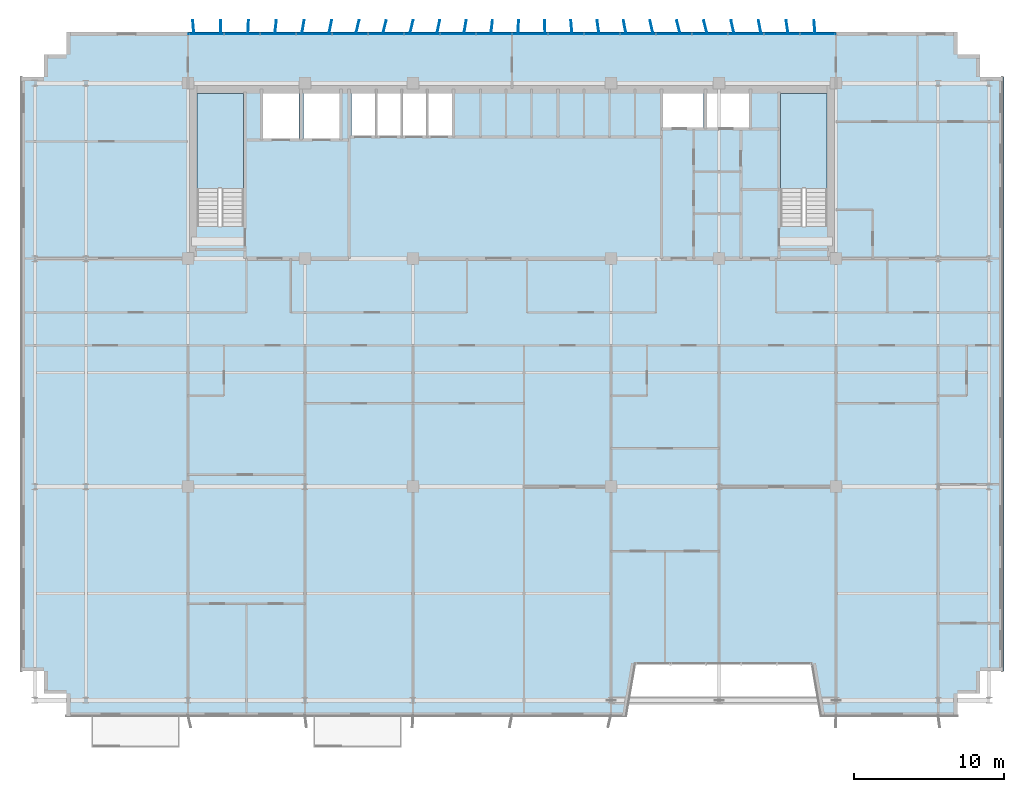
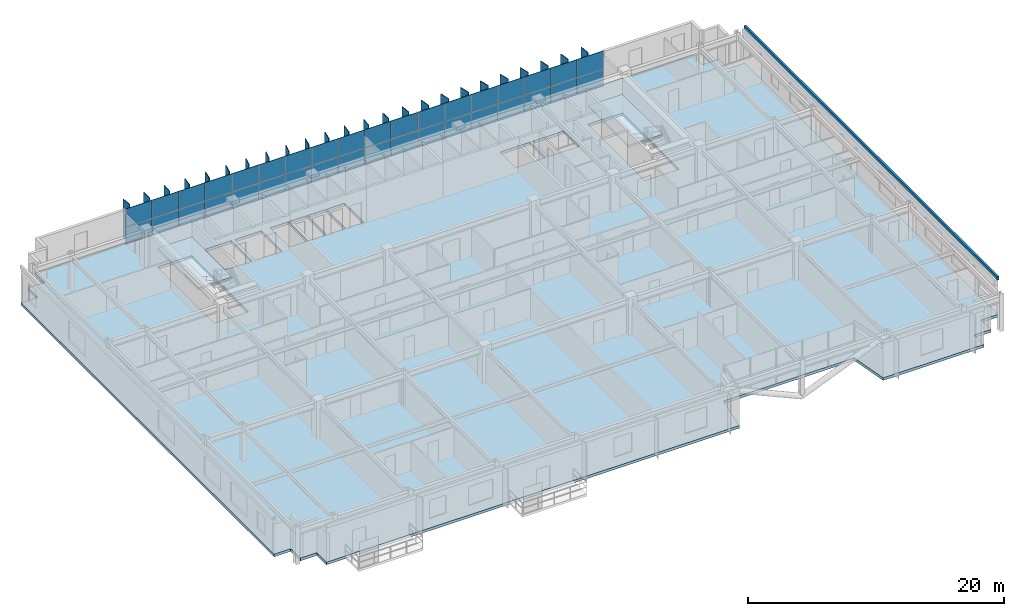
# One storey, part 17 of 26: 61 plates, 3 slabs, 3 elements without a shape of their own.
"""IFC4 building model written with IfcOpenShell, lengths in metres."""

import ifcopenshell
import ifcopenshell.guid

model = None  # the IFC model being written
_history = None  # IfcOwnerHistory: only IFC2X3 demands one
_inside = {}  # id of a spatial element -> (the spatial element, [elements in it])
_under = {}  # id of a project, library or spatial element -> (it, [spatial elements below it])
_declared = {}  # id of a project -> (the project, [libraries it declares])
_typed = {}  # id of a type object -> (the type object, [elements of that type])
_made_of = {}  # id of a material, layer set ... -> (it, [elements and type objects made of it])


def new_model(schema):
    """Start an empty IFC model of exactly this schema.

    Asked for "IFC4X3", IfcOpenShell would pick the latest addendum, in which some entities
    have other attributes; the version numbers below select the first issue.
    IFC2X3 requires an IfcOwnerHistory on every rooted entity: one is made here for all.
    """
    global model, _history
    if schema == "IFC4X3":
        model = ifcopenshell.file(schema_version=(4, 3, 0, 0))
    else:
        model = ifcopenshell.file(schema=schema)
    _inside.clear()
    _under.clear()
    _declared.clear()
    _typed.clear()
    _made_of.clear()
    _history = None
    if model.schema == "IFC2X3":
        org = make("IfcOrganization", Name="unknown")
        user = make(
            "IfcPersonAndOrganization",
            ThePerson=make("IfcPerson", FamilyName="unknown"),
            TheOrganization=org,
        )
        app = make(
            "IfcApplication",
            ApplicationDeveloper=org,
            Version="unknown",
            ApplicationFullName="unknown",
            ApplicationIdentifier="unknown",
        )
        _history = make(
            "IfcOwnerHistory",
            OwningUser=user,
            OwningApplication=app,
            ChangeAction="ADDED",
            CreationDate=0,
        )
    return model


def make(cls, **values):
    """One entity of the class cls with the attributes given. An attribute that is None is left unset."""
    return model.create_entity(
        cls, **{name: value for name, value in values.items() if value is not None}
    )


def rooted(cls, **values):
    """An entity with a GlobalId (a new one), such as an element, a storey or a relation."""
    return make(cls, GlobalId=ifcopenshell.guid.new(), OwnerHistory=_history, **values)


def si_unit(unit_type, name, prefix=None):
    """IfcSIUnit, for example si_unit("LENGTHUNIT", "METRE", prefix="MILLI")."""
    return make("IfcSIUnit", UnitType=unit_type, Prefix=prefix, Name=name)


def assignment(units):
    """IfcUnitAssignment: the units of a project."""
    return None if units is None else make("IfcUnitAssignment", Units=units)


def point(xyz):
    """IfcCartesianPoint."""
    return None if xyz is None else make("IfcCartesianPoint", Coordinates=xyz)


def direction(xyz):
    """IfcDirection."""
    return None if xyz is None else make("IfcDirection", DirectionRatios=xyz)


def frame(location, z_axis=None, x_axis=None):
    """IfcAxis2Placement3D, a coordinate frame: its origin and axes. An axis left out is left unset."""
    return make(
        "IfcAxis2Placement3D",
        Location=point(location),
        Axis=direction(z_axis),
        RefDirection=direction(x_axis),
    )


def frame_2d(location, x_axis=None):
    """IfcAxis2Placement2D, a coordinate frame in the plane: its origin and x axis."""
    return make(
        "IfcAxis2Placement2D", Location=point(location), RefDirection=direction(x_axis)
    )


def origin():
    """The frame at (0, 0, 0) with its axes left unset."""
    return frame((0.0, 0.0, 0.0))


def origin_2d():
    """The frame at (0, 0) in the plane with its x axis left unset."""
    return frame_2d((0.0, 0.0))


def place(relative_to, where):
    """IfcLocalPlacement: puts the frame where relative to a parent placement (None: the world)."""
    return make(
        "IfcLocalPlacement", PlacementRelTo=relative_to, RelativePlacement=where
    )


def context(
    kind, dimensions, precision=None, world=None, true_north=None, identifier=None
):
    """IfcGeometricRepresentationContext, for example the 3D "Model" context."""
    return make(
        "IfcGeometricRepresentationContext",
        ContextIdentifier=identifier,
        ContextType=kind,
        CoordinateSpaceDimension=dimensions,
        Precision=precision,
        WorldCoordinateSystem=world,
        TrueNorth=true_north,
    )


def subcontext(parent, identifier, kind, view, scale=None):
    """IfcGeometricRepresentationSubContext, for example "Body" below "Model"."""
    return make(
        "IfcGeometricRepresentationSubContext",
        ContextIdentifier=identifier,
        ContextType=kind,
        ParentContext=parent,
        TargetScale=scale,
        TargetView=view,
    )


def project(units=None, contexts=None):
    """IfcProject with its units and contexts."""
    return rooted(
        "IfcProject",
        Name="project",
        RepresentationContexts=contexts,
        UnitsInContext=assignment(units),
    )


def spatial(cls, under=None, at=None, **own):
    """A site, building, storey or space (cls), placed at a placement, below another one or the project."""
    s = rooted(cls, ObjectPlacement=at, **own)
    if under is not None:
        _under.setdefault(under.id(), (under, []))[1].append(s)
    return s


def polyline(points):
    """IfcPolyline through the points."""
    return make("IfcPolyline", Points=[point(p) for p in points])


def profile(cls, at=None, kind="AREA", **sizes):
    """A parametric profile (cls). Its sizes go by their IFC names, for example OverallWidth=200.0."""
    return make(cls, ProfileType=kind, Position=at, **sizes)


def rectangle(**sizes):
    """IfcRectangleProfileDef."""
    return profile("IfcRectangleProfileDef", **sizes)


def outline(outer, holes=None, kind="AREA"):
    """IfcArbitraryClosedProfileDef: a profile drawn as a closed curve; with holes, ...WithVoids."""
    if holes is None:
        return make("IfcArbitraryClosedProfileDef", ProfileType=kind, OuterCurve=outer)
    return make(
        "IfcArbitraryProfileDefWithVoids",
        ProfileType=kind,
        OuterCurve=outer,
        InnerCurves=holes,
    )


def extrude(swept, where, along, depth):
    """IfcExtrudedAreaSolid: the profile swept, set in the frame where, extruded along a direction by depth."""
    return make(
        "IfcExtrudedAreaSolid",
        SweptArea=swept,
        Position=where,
        ExtrudedDirection=direction(along),
        Depth=depth,
    )


def shape(context_of_items, identifier, shape_type, items):
    """IfcShapeRepresentation: the items that make up one representation, for example the "Body"."""
    return make(
        "IfcShapeRepresentation",
        ContextOfItems=context_of_items,
        RepresentationIdentifier=identifier,
        RepresentationType=shape_type,
        Items=items,
    )


def source(mapping_origin, context_of_items, identifier, shape_type, items):
    """IfcRepresentationMap: a shape defined once, which mapped items show again and again."""
    return make(
        "IfcRepresentationMap",
        MappingOrigin=mapping_origin,
        MappedRepresentation=shape(context_of_items, identifier, shape_type, items),
    )


def transform(
    local_origin,
    x_axis=None,
    y_axis=None,
    z_axis=None,
    scale=None,
    scale2=None,
    scale3=None,
    uniform=True,
):
    """IfcCartesianTransformationOperator3D, or its non-uniform kind. x_axis, y_axis, z_axis: its Axis1, 2, 3."""
    if uniform:
        return make(
            "IfcCartesianTransformationOperator3D",
            Axis1=direction(x_axis),
            Axis2=direction(y_axis),
            LocalOrigin=point(local_origin),
            Scale=scale,
            Axis3=direction(z_axis),
        )
    return make(
        "IfcCartesianTransformationOperator3DnonUniform",
        Axis1=direction(x_axis),
        Axis2=direction(y_axis),
        LocalOrigin=point(local_origin),
        Scale=scale,
        Axis3=direction(z_axis),
        Scale2=scale2,
        Scale3=scale3,
    )


def mapped(mapping_source, mapping_target):
    """IfcMappedItem: shows the shape of a source again, moved by a transform."""
    return make(
        "IfcMappedItem", MappingSource=mapping_source, MappingTarget=mapping_target
    )


def material(Name=None, Category=None):
    """IfcMaterial."""
    return make("IfcMaterial", Name=Name, Category=Category)


def layer(
    of_material, thickness, ventilated=None, Name=None, Category=None, Priority=None
):
    """IfcMaterialLayer: one layer of a wall or slab, of a material (None: an air gap)."""
    return make(
        "IfcMaterialLayer",
        Material=of_material,
        LayerThickness=thickness,
        IsVentilated=ventilated,
        Name=Name,
        Category=Category,
        Priority=Priority,
    )


def layer_set(layers, Name=None):
    """IfcMaterialLayerSet."""
    return make("IfcMaterialLayerSet", MaterialLayers=layers, LayerSetName=Name)


def made_of(thing, what):
    """Note that an element or type object is made of a material, layer set ...; save() writes the relation."""
    if what is not None:
        _made_of.setdefault(what.id(), (what, []))[1].append(thing)
    return thing


def type_object(cls, material=None, **own):
    """A type object (cls), such as IfcWallType, which elements share."""
    return made_of(rooted(cls, **own), material)


def element(
    cls,
    number,
    at=None,
    inside=None,
    cuts=None,
    type_object=None,
    material=None,
    context=None,
    identifier="Body",
    shape_type=None,
    held_by="IfcProductDefinitionShape",
    body=None,
    shapes=None,
    **own,
):
    """One element of the class cls, such as IfcWall. Its Tag is "e" and its number.

    at: its placement. inside: the storey or other place that contains it. cuts: it is an
    opening in that element (IfcRelVoidsElement). A single representation is given by context,
    identifier, shape_type and body (its items); several are given by shapes. held_by: the class
    of the entity that holds the representations. save() writes the other relations.
    """
    e = rooted(cls, Tag="e%d" % number, ObjectPlacement=at, **own)
    if body is not None:
        shapes = [shape(context, identifier, shape_type, body)]
    if shapes is not None:
        e.Representation = make(held_by, Representations=shapes)
    if inside is not None:
        _inside.setdefault(inside.id(), (inside, []))[1].append(e)
    if cuts is not None:
        rooted(
            "IfcRelVoidsElement", RelatingBuildingElement=cuts, RelatedOpeningElement=e
        )
    if type_object is not None:
        _typed.setdefault(type_object.id(), (type_object, []))[1].append(e)
    return made_of(e, material)


def aggregate(whole, parts):
    """IfcRelAggregates: a whole, such as a stair, and the parts it consists of."""
    return rooted("IfcRelAggregates", RelatingObject=whole, RelatedObjects=parts)


def save(model, path):
    """Write the relations noted so far, then the file.

    IfcRelAggregates (storeys below a building ...), IfcRelContainedInSpatialStructure (elements
    in a storey), IfcRelDefinesByType, IfcRelAssociatesMaterial and IfcRelDeclares: one each for
    every whole, place, type object, material and project.
    """
    for whole, parts in _under.values():
        aggregate(whole, parts)
    for where, things in _inside.values():
        rooted(
            "IfcRelContainedInSpatialStructure",
            RelatedElements=things,
            RelatingStructure=where,
        )
    for kind, things in _typed.values():
        rooted("IfcRelDefinesByType", RelatedObjects=things, RelatingType=kind)
    for what, things in _made_of.values():
        rooted("IfcRelAssociatesMaterial", RelatedObjects=things, RelatingMaterial=what)
    for by, libraries in _declared.values():
        rooted("IfcRelDeclares", RelatingContext=by, RelatedDefinitions=libraries)
    model.write(path)


model = new_model("IFC4")

# Units and contexts
model_context = context("Model", 3, precision=1e-05, world=origin(), true_north=direction((0.0, 1.0)))
body_context = subcontext(model_context, "Body", "Model", "MODEL_VIEW")
ifc_project = project(units=[si_unit("LENGTHUNIT", "METRE"), si_unit("AREAUNIT", "SQUARE_METRE"), si_unit("VOLUMEUNIT", "CUBIC_METRE"), si_unit("PLANEANGLEUNIT", "RADIAN"), si_unit("MASSUNIT", "GRAM", prefix="KILO")], contexts=[model_context])

# Site, building, storey
site_placement = place(None, origin())
site = spatial("IfcSite", under=ifc_project, at=site_placement, CompositionType="ELEMENT")
building_placement = place(site_placement, origin())
building = spatial("IfcBuilding", under=site, at=building_placement, Name="Trelvane Seafront Commons", CompositionType="ELEMENT")
storey_placement = place(building_placement, frame((0.0, 0.0, 124.89990234375)))
storey = spatial("IfcBuildingStorey", under=building, at=storey_placement, Name="L32", CompositionType="ELEMENT", Elevation=124.89990234375)

# Stair, slab
ifc_material_1 = material(Name="Concrete C40/50", Category="concrete")
stair_type_1 = type_object("IfcStairType", Name="ARCH-STR-ST-1-R20-180", PredefinedType="HALF_TURN_STAIR", material=ifc_material_1)
stair_1_placement = place(storey_placement, origin())
stair_1 = element("IfcStair", 1, at=stair_1_placement, inside=storey, type_object=stair_type_1, Name="L32 West Protected Firefighting Exit Stair ST-1", PredefinedType="HALF_TURN_STAIR")
ifc_layer_1 = layer(ifc_material_1, 0.199951171875, Name="ARCH-LND-200")
ifc_layer_set_1 = layer_set([ifc_layer_1], Name="Concrete C40/50")
slab_type_1 = type_object("IfcSlabType", Name="ARCH-LND-200", PredefinedType="LANDING", material=ifc_layer_set_1)
slab_1_placement = place(storey_placement, frame((0.0, 0.0, 1.60009765625)))
slab_1 = element("IfcSlab", 2, at=slab_1_placement, type_object=slab_type_1, Name="ST-1 landing 1", PredefinedType="LANDING", context=body_context, shape_type="SweptSolid", body=[
    extrude(outline(polyline([(19.300048828125, 38.070068359375), (19.300048828125, 44.39990234375), (16.199951171875, 44.39990234375), (16.199951171875, 38.070068359375), (19.300048828125, 38.070068359375)])), origin(), (0.0, 0.0, 1.0), 0.199951171875),
])
aggregate(stair_1, [slab_1])

stair_type_2 = type_object("IfcStairType", Name="ARCH-STR-ST-2-R20-180", PredefinedType="HALF_TURN_STAIR", material=ifc_material_1)
stair_2_placement = place(storey_placement, origin())
stair_2 = element("IfcStair", 3, at=stair_2_placement, inside=storey, type_object=stair_type_2, Name="L32 East Protected Firefighting Exit Stair ST-2", PredefinedType="HALF_TURN_STAIR")
slab_2_placement = place(storey_placement, frame((0.0, 0.0, 1.60009765625)))
slab_2 = element("IfcSlab", 4, at=slab_2_placement, type_object=slab_type_1, Name="ST-2 landing 1", PredefinedType="LANDING", context=body_context, shape_type="SweptSolid", body=[
    extrude(outline(polyline([(58.199951171875, 38.070068359375), (58.199951171875, 44.39990234375), (55.10009765625, 44.39990234375), (55.10009765625, 38.070068359375), (58.199951171875, 38.070068359375)])), origin(), (0.0, 0.0, 1.0), 0.199951171875),
])
aggregate(stair_2, [slab_2])

# Slab
ifc_material_2 = material(Name="Concrete C50/60", Category="concrete")
ifc_layer_2 = layer(ifc_material_2, 0.260009765625, Name="STR-SLB-Z1-260")
ifc_layer_set_2 = layer_set([ifc_layer_2], Name="Concrete C50/60")
slab_type_2 = type_object("IfcSlabType", Name="STR-SLB-Z1-260", PredefinedType="FLOOR", material=ifc_layer_set_2)
slab_3_placement = place(storey_placement, frame((0.0, 0.0, -0.260009765625)))
element("IfcSlab", 5, at=slab_3_placement, inside=storey, type_object=slab_type_2, Name="L32 Structural Floor Slab", PredefinedType="FLOOR", context=body_context, shape_type="SweptSolid", body=[
    extrude(outline(polyline([(7.5, 2.89990234375), (44.800048828125, 2.89990234375), (45.39990234375, 6.39990234375), (57.199951171875, 6.39990234375), (57.800048828125, 2.89990234375), (66.89990234375, 2.89990234375), (66.89990234375, 4.39990234375), (68.39990234375, 4.39990234375), (68.39990234375, 5.89990234375), (69.89990234375, 5.89990234375), (69.89990234375, 45.5), (68.39990234375, 45.5), (68.39990234375, 47.0), (66.89990234375, 47.0), (66.89990234375, 48.5), (7.5, 48.5), (7.5, 47.0), (6.0, 47.0), (6.0, 45.5), (4.5, 45.5), (4.5, 5.89990234375), (6.0, 5.89990234375), (6.0, 4.39990234375), (7.5, 4.39990234375), (7.5, 2.89990234375)]), holes=[polyline([(19.300048828125, 35.550048828125), (16.199951171875, 35.550048828125), (16.199951171875, 44.39990234375), (19.300048828125, 44.39990234375), (19.300048828125, 35.550048828125)]), polyline([(58.199951171875, 35.550048828125), (55.10009765625, 35.550048828125), (55.10009765625, 44.39990234375), (58.199951171875, 44.39990234375), (58.199951171875, 35.550048828125)]), polyline([(23.0, 41.39990234375), (20.60009765625, 41.39990234375), (20.60009765625, 44.60009765625), (23.0, 44.60009765625), (23.0, 41.39990234375)]), polyline([(23.300048828125, 41.39990234375), (23.300048828125, 44.60009765625), (25.699951171875, 44.60009765625), (25.699951171875, 41.39990234375), (23.300048828125, 41.39990234375)]), polyline([(26.5, 41.60009765625), (26.5, 44.60009765625), (28.1201171875, 44.60009765625), (28.1201171875, 41.60009765625), (26.5, 41.60009765625)]), polyline([(29.820068359375, 41.60009765625), (28.199951171875, 41.60009765625), (28.199951171875, 44.60009765625), (29.820068359375, 44.60009765625), (29.820068359375, 41.60009765625)]), polyline([(31.52001953125, 41.60009765625), (29.89990234375, 41.60009765625), (29.89990234375, 44.60009765625), (31.52001953125, 44.60009765625), (31.52001953125, 41.60009765625)]), polyline([(33.219970703125, 41.60009765625), (31.60009765625, 41.60009765625), (31.60009765625, 44.60009765625), (33.219970703125, 44.60009765625), (33.219970703125, 41.60009765625)]), polyline([(47.25, 42.14990234375), (47.25, 44.550048828125), (49.949951171875, 44.550048828125), (49.949951171875, 42.14990234375), (47.25, 42.14990234375)]), polyline([(50.199951171875, 42.14990234375), (50.199951171875, 44.550048828125), (53.0, 44.550048828125), (53.0, 42.14990234375), (50.199951171875, 42.14990234375)])]), origin(), (0.0, 0.0, 1.0), 0.260009765625),
])

# Plates
ifc_material_3 = material(Name="Anodised pale-silver aluminium", Category="aluminium")
ifc_layer_3 = layer(ifc_material_3, 0.06005859375, Name="ARCH-PLATE-FIN900")
ifc_layer_set_3 = layer_set([ifc_layer_3], Name="Anodised pale-silver aluminium")
plate_type_1 = type_object("IfcPlateType", Name="ARCH-PLATE-FIN900", PredefinedType="USERDEFINED", material=ifc_layer_set_3)
shared_shape_1 = source(origin(), body_context, "Body", "SweptSolid", [
    extrude(rectangle(XDim=0.89990234375, YDim=0.06005859375, at=origin_2d()), origin(), (0.0, 0.0, 1.0), 3.639892578125),
])
for number, where, z_axis, x_axis, name in (
    (6, (15.962890625, 48.848388671875, -0.02001953125), (0.0, 0.0, 1.0), (-0.082107235112, 0.996623500597, 0.0), "FIN-L32-00843"),
    (7, (17.792236328125, 48.849853515625, -0.02001953125), (0.0, 0.0, 1.0), (-0.017110372991, 0.999853606853, 0.0), "FIN-L32-00844"),
    (8, (19.622314453125, 48.849609375, -0.02001953125), (0.0, 0.0, 1.0), (0.049334386295, 0.998782317789, 0.0), "FIN-L32-00845"),
    (9, (21.4501953125, 48.84716796875, -0.02001953125), (0.0, 0.0, 1.0), (0.111772456141, 0.993733826559, 0.0), "FIN-L32-00846"),
    (10, (23.2744140625, 48.84375, -0.02001953125), (0.0, 0.0, 1.0), (0.16566038991, 0.986182860942, 0.0), "FIN-L32-00847"),
    (11, (25.09326171875, 48.840087890625, -0.02001953125), (0.0, 0.0, 1.0), (0.20700166892, 0.978340589501, 0.0), "FIN-L32-00848"),
    (12, (26.90478515625, 48.837646484375, -0.02001953125), (0.0, 0.0, 1.0), (0.233007486942, 0.97247494108, 0.0), "FIN-L32-00849"),
    (13, (28.708740234375, 48.836669921875, -0.02001953125), (0.0, 0.0, 1.0), (0.241881251735, 0.970305859025, 0.0), "FIN-L32-00850"),
    (14, (30.5048828125, 48.837646484375, -0.02001953125), (0.0, 0.0, 1.0), (0.233217945314, 0.972424490633, 0.0), "FIN-L32-00851"),
    (15, (32.29345703125, 48.840087890625, -0.02001953125), (0.0, 0.0, 1.0), (0.207449019192, 0.978245830268, 0.0), "FIN-L32-00852"),
    (16, (34.07470703125, 48.84375, -0.02001953125), (0.0, 0.0, 1.0), (0.166326461809, 0.986070741936, 0.0), "FIN-L32-00853"),
    (17, (35.8505859375, 48.84716796875, -0.02001953125), (0.0, 0.0, 1.0), (0.112552898309, 0.993645734194, 0.0), "FIN-L32-00854"),
    (18, (37.62255859375, 48.849609375, -0.02001953125), (0.0, 0.0, 1.0), (0.050110097115, 0.998743699939, 0.0), "FIN-L32-00855"),
    (19, (39.392578125, 48.849853515625, -0.02001953125), (0.0, 0.0, 1.0), (-0.016222123818, 0.999868412692, 0.0), "FIN-L32-00856"),
    (20, (41.163330078125, 48.848388671875, -0.02001953125), (0.0, 0.0, 1.0), (-0.081334900886, 0.996686828396, 0.0), "FIN-L32-00857"),
    (21, (42.93701171875, 48.845703125, -0.02001953125), (0.0, 0.0, 1.0), (-0.140114985243, 0.990135238697, 0.0), "FIN-L32-00858"),
    (22, (44.71533203125, 48.841796875, -0.02001953125), (0.0, 0.0, 1.0), (-0.188118460056, 0.982146346013, 0.0), "FIN-L32-00859"),
    (23, (46.5, 48.8388671875, -0.02001953125), (0.0, 0.0, 1.0), (-0.222115211748, 0.975020426817, 0.0), "FIN-L32-00860"),
    (24, (48.2919921875, 48.8369140625, -0.02001953125), (0.0, 0.0, 1.0), (-0.239658743326, 0.970857191737, 0.0), "FIN-L32-00861"),
    (25, (50.092041015625, 48.8369140625, -0.02001953125), (0.0, 0.0, 1.0), (-0.239789215002, 0.970824975147, 0.0), "FIN-L32-00862"),
    (26, (51.89990234375, 48.8388671875, -0.02001953125), (0.0, 0.0, 1.0), (-0.222433423735, 0.974947881687, 0.0), "FIN-L32-00863"),
    (27, (53.715087890625, 48.841796875, -0.02001953125), (0.0, 0.0, 1.0), (-0.188673820622, 0.982039810502, 0.0), "FIN-L32-00864"),
    (28, (55.53662109375, 48.845458984375, -0.02001953125), (0.0, 0.0, 1.0), (-0.140783732573, 0.990040373239, 0.0), "FIN-L32-00865"),
    (29, (57.363037109375, 48.848388671875, -0.02001953125), (0.0, 0.0, 1.0), (-0.082107235112, 0.996623500597, 0.0), "FIN-L32-00866"),
):
    element("IfcPlate", number, at=place(storey_placement, frame(where, z_axis=z_axis, x_axis=x_axis)), inside=storey, type_object=plate_type_1, Name=name, ObjectType="FIN", PredefinedType="USERDEFINED", context=body_context, shape_type="MappedRepresentation", body=[
        mapped(shared_shape_1, transform((0.0, 0.0, 0.0), x_axis=(1.0, 0.0, 0.0), y_axis=(0.0, 1.0, 0.0), z_axis=(0.0, 0.0, 1.0), scale=1.0)),
    ])
ifc_layer_4 = layer(ifc_material_3, 0.179931640625, Name="ARCH-PLATE-AERO")
ifc_layer_set_4 = layer_set([ifc_layer_4], Name="Anodised pale-silver aluminium")
plate_type_2 = type_object("IfcPlateType", Name="ARCH-PLATE-AERO", PredefinedType="SHEET", material=ifc_layer_set_4)
shared_shape_2 = source(origin(), body_context, "Body", "SweptSolid", [
    extrude(rectangle(XDim=39.60009765625, YDim=0.179931640625, at=origin_2d()), origin(), (0.0, 0.0, 1.0), 0.340087890625),
])
plate_1_placement = place(storey_placement, frame((69.89990234375, 25.699951171875, 3.2802734375), z_axis=(0.0, 0.0, 1.0), x_axis=(0.0, -1.0, 0.0)))
element("IfcPlate", 30, at=plate_1_placement, inside=storey, type_object=plate_type_2, Name="AER-L32-00118", PredefinedType="SHEET", context=body_context, shape_type="MappedRepresentation", body=[
    mapped(shared_shape_2, transform((0.0, 0.0, 0.0), x_axis=(1.0, 0.0, 0.0), y_axis=(0.0, 1.0, 0.0), z_axis=(0.0, 0.0, 1.0), scale=1.0)),
])

# Curtain wall, plates
curtain_wall_type = type_object("IfcCurtainWallType", Name="ARCH-CW4-SKYLOBBY", PredefinedType="NOTDEFINED", material=ifc_material_3)
curtain_wall_placement = place(storey_placement, origin())
curtain_wall = element("IfcCurtainWall", 31, at=curtain_wall_placement, inside=storey, type_object=curtain_wall_type, Name="CW-L32-0057", PredefinedType="NOTDEFINED")
ifc_material_4 = material(Name="Low-E coastal double glazing", Category="glass")
ifc_layer_5 = layer(ifc_material_4, 0.033935546875, Name="ARCH-CW-GLAZ-34")
ifc_layer_set_5 = layer_set([ifc_layer_5], Name="Low-E coastal double glazing")
plate_type_3 = type_object("IfcPlateType", Name="ARCH-CW-GLAZ-34", PredefinedType="CURTAIN_PANEL", material=ifc_layer_set_5)
shared_shape_3 = source(origin(), body_context, "Body", "SweptSolid", [
    extrude(rectangle(XDim=2.3759765625, YDim=0.0400390625, at=origin_2d()), origin(), (0.0, 0.0, 1.0), 1.5849609375),
])
plate_2_placement = place(storey_placement, frame((16.800048828125, 48.3701171875, 0.0), z_axis=(0.0, 0.0, 1.0), x_axis=(1.0, 0.0, 0.0)))
plate_2 = element("IfcPlate", 32, at=plate_2_placement, type_object=plate_type_3, Name="CW-L32-0057-P00-1", PredefinedType="CURTAIN_PANEL", context=body_context, shape_type="MappedRepresentation", body=[
    mapped(shared_shape_3, transform((0.0, 0.0, 0.0), x_axis=(1.0, 0.0, 0.0), y_axis=(0.0, 1.0, 0.0), z_axis=(0.0, 0.0, 1.0), scale=1.0)),
])
plate_3_placement = place(storey_placement, frame((19.199951171875, 48.3701171875, 0.0), z_axis=(0.0, 0.0, 1.0), x_axis=(1.0, 0.0, 0.0)))
plate_3 = element("IfcPlate", 33, at=plate_3_placement, type_object=plate_type_3, Name="CW-L32-0057-P01-1", PredefinedType="CURTAIN_PANEL", context=body_context, shape_type="MappedRepresentation", body=[
    mapped(shared_shape_3, transform((0.0, 0.0, 0.0), x_axis=(1.0, 0.0, 0.0), y_axis=(0.0, 1.0, 0.0), z_axis=(0.0, 0.0, 1.0), scale=1.0)),
])
plate_4_placement = place(storey_placement, frame((21.60009765625, 48.3701171875, 0.0), z_axis=(0.0, 0.0, 1.0), x_axis=(1.0, 0.0, 0.0)))
plate_4 = element("IfcPlate", 34, at=plate_4_placement, type_object=plate_type_3, Name="CW-L32-0057-P02-1", PredefinedType="CURTAIN_PANEL", context=body_context, shape_type="MappedRepresentation", body=[
    mapped(shared_shape_3, transform((0.0, 0.0, 0.0), x_axis=(1.0, 0.0, 0.0), y_axis=(0.0, 1.0, 0.0), z_axis=(0.0, 0.0, 1.0), scale=1.0)),
])
plate_5_placement = place(storey_placement, frame((24.0, 48.3701171875, 0.0), z_axis=(0.0, 0.0, 1.0), x_axis=(1.0, 0.0, 0.0)))
plate_5 = element("IfcPlate", 35, at=plate_5_placement, type_object=plate_type_3, Name="CW-L32-0057-P03-1", PredefinedType="CURTAIN_PANEL", context=body_context, shape_type="MappedRepresentation", body=[
    mapped(shared_shape_3, transform((0.0, 0.0, 0.0), x_axis=(1.0, 0.0, 0.0), y_axis=(0.0, 1.0, 0.0), z_axis=(0.0, 0.0, 1.0), scale=1.0)),
])
plate_6_placement = place(storey_placement, frame((26.39990234375, 48.3701171875, 0.0), z_axis=(0.0, 0.0, 1.0), x_axis=(1.0, 0.0, 0.0)))
plate_6 = element("IfcPlate", 36, at=plate_6_placement, type_object=plate_type_3, Name="CW-L32-0057-P04-1", PredefinedType="CURTAIN_PANEL", context=body_context, shape_type="MappedRepresentation", body=[
    mapped(shared_shape_3, transform((0.0, 0.0, 0.0), x_axis=(1.0, 0.0, 0.0), y_axis=(0.0, 1.0, 0.0), z_axis=(0.0, 0.0, 1.0), scale=1.0)),
])
plate_7_placement = place(storey_placement, frame((28.800048828125, 48.3701171875, 0.0), z_axis=(0.0, 0.0, 1.0), x_axis=(1.0, 0.0, 0.0)))
plate_7 = element("IfcPlate", 37, at=plate_7_placement, type_object=plate_type_3, Name="CW-L32-0057-P05-1", PredefinedType="CURTAIN_PANEL", context=body_context, shape_type="MappedRepresentation", body=[
    mapped(shared_shape_3, transform((0.0, 0.0, 0.0), x_axis=(1.0, 0.0, 0.0), y_axis=(0.0, 1.0, 0.0), z_axis=(0.0, 0.0, 1.0), scale=1.0)),
])
plate_8_placement = place(storey_placement, frame((31.199951171875, 48.3701171875, 0.0), z_axis=(0.0, 0.0, 1.0), x_axis=(1.0, 0.0, 0.0)))
plate_8 = element("IfcPlate", 38, at=plate_8_placement, type_object=plate_type_3, Name="CW-L32-0057-P06-1", PredefinedType="CURTAIN_PANEL", context=body_context, shape_type="MappedRepresentation", body=[
    mapped(shared_shape_3, transform((0.0, 0.0, 0.0), x_axis=(1.0, 0.0, 0.0), y_axis=(0.0, 1.0, 0.0), z_axis=(0.0, 0.0, 1.0), scale=1.0)),
])
plate_9_placement = place(storey_placement, frame((33.60009765625, 48.3701171875, 0.0), z_axis=(0.0, 0.0, 1.0), x_axis=(1.0, 0.0, 0.0)))
plate_9 = element("IfcPlate", 39, at=plate_9_placement, type_object=plate_type_3, Name="CW-L32-0057-P07-1", PredefinedType="CURTAIN_PANEL", context=body_context, shape_type="MappedRepresentation", body=[
    mapped(shared_shape_3, transform((0.0, 0.0, 0.0), x_axis=(1.0, 0.0, 0.0), y_axis=(0.0, 1.0, 0.0), z_axis=(0.0, 0.0, 1.0), scale=1.0)),
])
plate_10_placement = place(storey_placement, frame((36.0, 48.3701171875, 0.0), z_axis=(0.0, 0.0, 1.0), x_axis=(1.0, 0.0, 0.0)))
plate_10 = element("IfcPlate", 40, at=plate_10_placement, type_object=plate_type_3, Name="CW-L32-0057-P08-1", PredefinedType="CURTAIN_PANEL", context=body_context, shape_type="MappedRepresentation", body=[
    mapped(shared_shape_3, transform((0.0, 0.0, 0.0), x_axis=(1.0, 0.0, 0.0), y_axis=(0.0, 1.0, 0.0), z_axis=(0.0, 0.0, 1.0), scale=1.0)),
])
plate_11_placement = place(storey_placement, frame((38.39990234375, 48.3701171875, 0.0), z_axis=(0.0, 0.0, 1.0), x_axis=(1.0, 0.0, 0.0)))
plate_11 = element("IfcPlate", 41, at=plate_11_placement, type_object=plate_type_3, Name="CW-L32-0057-P09-1", PredefinedType="CURTAIN_PANEL", context=body_context, shape_type="MappedRepresentation", body=[
    mapped(shared_shape_3, transform((0.0, 0.0, 0.0), x_axis=(1.0, 0.0, 0.0), y_axis=(0.0, 1.0, 0.0), z_axis=(0.0, 0.0, 1.0), scale=1.0)),
])
plate_12_placement = place(storey_placement, frame((40.800048828125, 48.3701171875, 0.0), z_axis=(0.0, 0.0, 1.0), x_axis=(1.0, 0.0, 0.0)))
plate_12 = element("IfcPlate", 42, at=plate_12_placement, type_object=plate_type_3, Name="CW-L32-0057-P10-1", PredefinedType="CURTAIN_PANEL", context=body_context, shape_type="MappedRepresentation", body=[
    mapped(shared_shape_3, transform((0.0, 0.0, 0.0), x_axis=(1.0, 0.0, 0.0), y_axis=(0.0, 1.0, 0.0), z_axis=(0.0, 0.0, 1.0), scale=1.0)),
])
plate_13_placement = place(storey_placement, frame((43.199951171875, 48.3701171875, 0.0), z_axis=(0.0, 0.0, 1.0), x_axis=(1.0, 0.0, 0.0)))
plate_13 = element("IfcPlate", 43, at=plate_13_placement, type_object=plate_type_3, Name="CW-L32-0057-P11-1", PredefinedType="CURTAIN_PANEL", context=body_context, shape_type="MappedRepresentation", body=[
    mapped(shared_shape_3, transform((0.0, 0.0, 0.0), x_axis=(1.0, 0.0, 0.0), y_axis=(0.0, 1.0, 0.0), z_axis=(0.0, 0.0, 1.0), scale=1.0)),
])
plate_14_placement = place(storey_placement, frame((45.60009765625, 48.3701171875, 0.0), z_axis=(0.0, 0.0, 1.0), x_axis=(1.0, 0.0, 0.0)))
plate_14 = element("IfcPlate", 44, at=plate_14_placement, type_object=plate_type_3, Name="CW-L32-0057-P12-1", PredefinedType="CURTAIN_PANEL", context=body_context, shape_type="MappedRepresentation", body=[
    mapped(shared_shape_3, transform((0.0, 0.0, 0.0), x_axis=(1.0, 0.0, 0.0), y_axis=(0.0, 1.0, 0.0), z_axis=(0.0, 0.0, 1.0), scale=1.0)),
])
plate_15_placement = place(storey_placement, frame((48.0, 48.3701171875, 0.0), z_axis=(0.0, 0.0, 1.0), x_axis=(1.0, 0.0, 0.0)))
plate_15 = element("IfcPlate", 45, at=plate_15_placement, type_object=plate_type_3, Name="CW-L32-0057-P13-1", PredefinedType="CURTAIN_PANEL", context=body_context, shape_type="MappedRepresentation", body=[
    mapped(shared_shape_3, transform((0.0, 0.0, 0.0), x_axis=(1.0, 0.0, 0.0), y_axis=(0.0, 1.0, 0.0), z_axis=(0.0, 0.0, 1.0), scale=1.0)),
])
plate_16_placement = place(storey_placement, frame((50.39990234375, 48.3701171875, 0.0), z_axis=(0.0, 0.0, 1.0), x_axis=(1.0, 0.0, 0.0)))
plate_16 = element("IfcPlate", 46, at=plate_16_placement, type_object=plate_type_3, Name="CW-L32-0057-P14-1", PredefinedType="CURTAIN_PANEL", context=body_context, shape_type="MappedRepresentation", body=[
    mapped(shared_shape_3, transform((0.0, 0.0, 0.0), x_axis=(1.0, 0.0, 0.0), y_axis=(0.0, 1.0, 0.0), z_axis=(0.0, 0.0, 1.0), scale=1.0)),
])
plate_17_placement = place(storey_placement, frame((52.800048828125, 48.3701171875, 0.0), z_axis=(0.0, 0.0, 1.0), x_axis=(1.0, 0.0, 0.0)))
plate_17 = element("IfcPlate", 47, at=plate_17_placement, type_object=plate_type_3, Name="CW-L32-0057-P15-1", PredefinedType="CURTAIN_PANEL", context=body_context, shape_type="MappedRepresentation", body=[
    mapped(shared_shape_3, transform((0.0, 0.0, 0.0), x_axis=(1.0, 0.0, 0.0), y_axis=(0.0, 1.0, 0.0), z_axis=(0.0, 0.0, 1.0), scale=1.0)),
])
plate_18_placement = place(storey_placement, frame((55.199951171875, 48.3701171875, 0.0), z_axis=(0.0, 0.0, 1.0), x_axis=(1.0, 0.0, 0.0)))
plate_18 = element("IfcPlate", 48, at=plate_18_placement, type_object=plate_type_3, Name="CW-L32-0057-P16-1", PredefinedType="CURTAIN_PANEL", context=body_context, shape_type="MappedRepresentation", body=[
    mapped(shared_shape_3, transform((0.0, 0.0, 0.0), x_axis=(1.0, 0.0, 0.0), y_axis=(0.0, 1.0, 0.0), z_axis=(0.0, 0.0, 1.0), scale=1.0)),
])
plate_19_placement = place(storey_placement, frame((57.60009765625, 48.3701171875, 0.0), z_axis=(0.0, 0.0, 1.0), x_axis=(1.0, 0.0, 0.0)))
plate_19 = element("IfcPlate", 49, at=plate_19_placement, type_object=plate_type_3, Name="CW-L32-0057-P17-1", PredefinedType="CURTAIN_PANEL", context=body_context, shape_type="MappedRepresentation", body=[
    mapped(shared_shape_3, transform((0.0, 0.0, 0.0), x_axis=(1.0, 0.0, 0.0), y_axis=(0.0, 1.0, 0.0), z_axis=(0.0, 0.0, 1.0), scale=1.0)),
])
shared_shape_4 = source(origin(), body_context, "Body", "SweptSolid", [
    extrude(rectangle(XDim=2.3759765625, YDim=0.0400390625, at=origin_2d()), origin(), (0.0, 0.0, 1.0), 1.718994140625),
])
plate_20_placement = place(storey_placement, frame((16.800048828125, 48.3701171875, 1.62109375), z_axis=(0.0, 0.0, 1.0), x_axis=(1.0, 0.0, 0.0)))
plate_20 = element("IfcPlate", 50, at=plate_20_placement, type_object=plate_type_3, Name="CW-L32-0057-P00-2", PredefinedType="CURTAIN_PANEL", context=body_context, shape_type="MappedRepresentation", body=[
    mapped(shared_shape_4, transform((0.0, 0.0, 0.0), x_axis=(1.0, 0.0, 0.0), y_axis=(0.0, 1.0, 0.0), z_axis=(0.0, 0.0, 1.0), scale=1.0)),
])
plate_21_placement = place(storey_placement, frame((19.199951171875, 48.3701171875, 1.62109375), z_axis=(0.0, 0.0, 1.0), x_axis=(1.0, 0.0, 0.0)))
plate_21 = element("IfcPlate", 51, at=plate_21_placement, type_object=plate_type_3, Name="CW-L32-0057-P01-2", PredefinedType="CURTAIN_PANEL", context=body_context, shape_type="MappedRepresentation", body=[
    mapped(shared_shape_4, transform((0.0, 0.0, 0.0), x_axis=(1.0, 0.0, 0.0), y_axis=(0.0, 1.0, 0.0), z_axis=(0.0, 0.0, 1.0), scale=1.0)),
])
plate_22_placement = place(storey_placement, frame((21.60009765625, 48.3701171875, 1.62109375), z_axis=(0.0, 0.0, 1.0), x_axis=(1.0, 0.0, 0.0)))
plate_22 = element("IfcPlate", 52, at=plate_22_placement, type_object=plate_type_3, Name="CW-L32-0057-P02-2", PredefinedType="CURTAIN_PANEL", context=body_context, shape_type="MappedRepresentation", body=[
    mapped(shared_shape_4, transform((0.0, 0.0, 0.0), x_axis=(1.0, 0.0, 0.0), y_axis=(0.0, 1.0, 0.0), z_axis=(0.0, 0.0, 1.0), scale=1.0)),
])
plate_23_placement = place(storey_placement, frame((24.0, 48.3701171875, 1.62109375), z_axis=(0.0, 0.0, 1.0), x_axis=(1.0, 0.0, 0.0)))
plate_23 = element("IfcPlate", 53, at=plate_23_placement, type_object=plate_type_3, Name="CW-L32-0057-P03-2", PredefinedType="CURTAIN_PANEL", context=body_context, shape_type="MappedRepresentation", body=[
    mapped(shared_shape_4, transform((0.0, 0.0, 0.0), x_axis=(1.0, 0.0, 0.0), y_axis=(0.0, 1.0, 0.0), z_axis=(0.0, 0.0, 1.0), scale=1.0)),
])
plate_24_placement = place(storey_placement, frame((26.39990234375, 48.3701171875, 1.62109375), z_axis=(0.0, 0.0, 1.0), x_axis=(1.0, 0.0, 0.0)))
plate_24 = element("IfcPlate", 54, at=plate_24_placement, type_object=plate_type_3, Name="CW-L32-0057-P04-2", PredefinedType="CURTAIN_PANEL", context=body_context, shape_type="MappedRepresentation", body=[
    mapped(shared_shape_4, transform((0.0, 0.0, 0.0), x_axis=(1.0, 0.0, 0.0), y_axis=(0.0, 1.0, 0.0), z_axis=(0.0, 0.0, 1.0), scale=1.0)),
])
plate_25_placement = place(storey_placement, frame((28.800048828125, 48.3701171875, 1.62109375), z_axis=(0.0, 0.0, 1.0), x_axis=(1.0, 0.0, 0.0)))
plate_25 = element("IfcPlate", 55, at=plate_25_placement, type_object=plate_type_3, Name="CW-L32-0057-P05-2", PredefinedType="CURTAIN_PANEL", context=body_context, shape_type="MappedRepresentation", body=[
    mapped(shared_shape_4, transform((0.0, 0.0, 0.0), x_axis=(1.0, 0.0, 0.0), y_axis=(0.0, 1.0, 0.0), z_axis=(0.0, 0.0, 1.0), scale=1.0)),
])
plate_26_placement = place(storey_placement, frame((31.199951171875, 48.3701171875, 1.62109375), z_axis=(0.0, 0.0, 1.0), x_axis=(1.0, 0.0, 0.0)))
plate_26 = element("IfcPlate", 56, at=plate_26_placement, type_object=plate_type_3, Name="CW-L32-0057-P06-2", PredefinedType="CURTAIN_PANEL", context=body_context, shape_type="MappedRepresentation", body=[
    mapped(shared_shape_4, transform((0.0, 0.0, 0.0), x_axis=(1.0, 0.0, 0.0), y_axis=(0.0, 1.0, 0.0), z_axis=(0.0, 0.0, 1.0), scale=1.0)),
])
plate_27_placement = place(storey_placement, frame((33.60009765625, 48.3701171875, 1.62109375), z_axis=(0.0, 0.0, 1.0), x_axis=(1.0, 0.0, 0.0)))
plate_27 = element("IfcPlate", 57, at=plate_27_placement, type_object=plate_type_3, Name="CW-L32-0057-P07-2", PredefinedType="CURTAIN_PANEL", context=body_context, shape_type="MappedRepresentation", body=[
    mapped(shared_shape_4, transform((0.0, 0.0, 0.0), x_axis=(1.0, 0.0, 0.0), y_axis=(0.0, 1.0, 0.0), z_axis=(0.0, 0.0, 1.0), scale=1.0)),
])
plate_28_placement = place(storey_placement, frame((36.0, 48.3701171875, 1.62109375), z_axis=(0.0, 0.0, 1.0), x_axis=(1.0, 0.0, 0.0)))
plate_28 = element("IfcPlate", 58, at=plate_28_placement, type_object=plate_type_3, Name="CW-L32-0057-P08-2", PredefinedType="CURTAIN_PANEL", context=body_context, shape_type="MappedRepresentation", body=[
    mapped(shared_shape_4, transform((0.0, 0.0, 0.0), x_axis=(1.0, 0.0, 0.0), y_axis=(0.0, 1.0, 0.0), z_axis=(0.0, 0.0, 1.0), scale=1.0)),
])
plate_29_placement = place(storey_placement, frame((38.39990234375, 48.3701171875, 1.62109375), z_axis=(0.0, 0.0, 1.0), x_axis=(1.0, 0.0, 0.0)))
plate_29 = element("IfcPlate", 59, at=plate_29_placement, type_object=plate_type_3, Name="CW-L32-0057-P09-2", PredefinedType="CURTAIN_PANEL", context=body_context, shape_type="MappedRepresentation", body=[
    mapped(shared_shape_4, transform((0.0, 0.0, 0.0), x_axis=(1.0, 0.0, 0.0), y_axis=(0.0, 1.0, 0.0), z_axis=(0.0, 0.0, 1.0), scale=1.0)),
])
plate_30_placement = place(storey_placement, frame((40.800048828125, 48.3701171875, 1.62109375), z_axis=(0.0, 0.0, 1.0), x_axis=(1.0, 0.0, 0.0)))
plate_30 = element("IfcPlate", 60, at=plate_30_placement, type_object=plate_type_3, Name="CW-L32-0057-P10-2", PredefinedType="CURTAIN_PANEL", context=body_context, shape_type="MappedRepresentation", body=[
    mapped(shared_shape_4, transform((0.0, 0.0, 0.0), x_axis=(1.0, 0.0, 0.0), y_axis=(0.0, 1.0, 0.0), z_axis=(0.0, 0.0, 1.0), scale=1.0)),
])
plate_31_placement = place(storey_placement, frame((43.199951171875, 48.3701171875, 1.62109375), z_axis=(0.0, 0.0, 1.0), x_axis=(1.0, 0.0, 0.0)))
plate_31 = element("IfcPlate", 61, at=plate_31_placement, type_object=plate_type_3, Name="CW-L32-0057-P11-2", PredefinedType="CURTAIN_PANEL", context=body_context, shape_type="MappedRepresentation", body=[
    mapped(shared_shape_4, transform((0.0, 0.0, 0.0), x_axis=(1.0, 0.0, 0.0), y_axis=(0.0, 1.0, 0.0), z_axis=(0.0, 0.0, 1.0), scale=1.0)),
])
plate_32_placement = place(storey_placement, frame((45.60009765625, 48.3701171875, 1.62109375), z_axis=(0.0, 0.0, 1.0), x_axis=(1.0, 0.0, 0.0)))
plate_32 = element("IfcPlate", 62, at=plate_32_placement, type_object=plate_type_3, Name="CW-L32-0057-P12-2", PredefinedType="CURTAIN_PANEL", context=body_context, shape_type="MappedRepresentation", body=[
    mapped(shared_shape_4, transform((0.0, 0.0, 0.0), x_axis=(1.0, 0.0, 0.0), y_axis=(0.0, 1.0, 0.0), z_axis=(0.0, 0.0, 1.0), scale=1.0)),
])
plate_33_placement = place(storey_placement, frame((48.0, 48.3701171875, 1.62109375), z_axis=(0.0, 0.0, 1.0), x_axis=(1.0, 0.0, 0.0)))
plate_33 = element("IfcPlate", 63, at=plate_33_placement, type_object=plate_type_3, Name="CW-L32-0057-P13-2", PredefinedType="CURTAIN_PANEL", context=body_context, shape_type="MappedRepresentation", body=[
    mapped(shared_shape_4, transform((0.0, 0.0, 0.0), x_axis=(1.0, 0.0, 0.0), y_axis=(0.0, 1.0, 0.0), z_axis=(0.0, 0.0, 1.0), scale=1.0)),
])
plate_34_placement = place(storey_placement, frame((50.39990234375, 48.3701171875, 1.62109375), z_axis=(0.0, 0.0, 1.0), x_axis=(1.0, 0.0, 0.0)))
plate_34 = element("IfcPlate", 64, at=plate_34_placement, type_object=plate_type_3, Name="CW-L32-0057-P14-2", PredefinedType="CURTAIN_PANEL", context=body_context, shape_type="MappedRepresentation", body=[
    mapped(shared_shape_4, transform((0.0, 0.0, 0.0), x_axis=(1.0, 0.0, 0.0), y_axis=(0.0, 1.0, 0.0), z_axis=(0.0, 0.0, 1.0), scale=1.0)),
])
plate_35_placement = place(storey_placement, frame((52.800048828125, 48.3701171875, 1.62109375), z_axis=(0.0, 0.0, 1.0), x_axis=(1.0, 0.0, 0.0)))
plate_35 = element("IfcPlate", 65, at=plate_35_placement, type_object=plate_type_3, Name="CW-L32-0057-P15-2", PredefinedType="CURTAIN_PANEL", context=body_context, shape_type="MappedRepresentation", body=[
    mapped(shared_shape_4, transform((0.0, 0.0, 0.0), x_axis=(1.0, 0.0, 0.0), y_axis=(0.0, 1.0, 0.0), z_axis=(0.0, 0.0, 1.0), scale=1.0)),
])
plate_36_placement = place(storey_placement, frame((55.199951171875, 48.3701171875, 1.62109375), z_axis=(0.0, 0.0, 1.0), x_axis=(1.0, 0.0, 0.0)))
plate_36 = element("IfcPlate", 66, at=plate_36_placement, type_object=plate_type_3, Name="CW-L32-0057-P16-2", PredefinedType="CURTAIN_PANEL", context=body_context, shape_type="MappedRepresentation", body=[
    mapped(shared_shape_4, transform((0.0, 0.0, 0.0), x_axis=(1.0, 0.0, 0.0), y_axis=(0.0, 1.0, 0.0), z_axis=(0.0, 0.0, 1.0), scale=1.0)),
])
plate_37_placement = place(storey_placement, frame((57.60009765625, 48.3701171875, 1.62109375), z_axis=(0.0, 0.0, 1.0), x_axis=(1.0, 0.0, 0.0)))
plate_37 = element("IfcPlate", 67, at=plate_37_placement, type_object=plate_type_3, Name="CW-L32-0057-P17-2", PredefinedType="CURTAIN_PANEL", context=body_context, shape_type="MappedRepresentation", body=[
    mapped(shared_shape_4, transform((0.0, 0.0, 0.0), x_axis=(1.0, 0.0, 0.0), y_axis=(0.0, 1.0, 0.0), z_axis=(0.0, 0.0, 1.0), scale=1.0)),
])
aggregate(curtain_wall, [plate_2, plate_20, plate_3, plate_21, plate_4, plate_22, plate_5, plate_23, plate_6, plate_24, plate_7, plate_25, plate_8, plate_26, plate_9, plate_27, plate_10, plate_28, plate_11, plate_29, plate_12, plate_30, plate_13, plate_31, plate_14, plate_32, plate_15, plate_33, plate_16, plate_34, plate_17, plate_35, plate_18, plate_36, plate_19, plate_37])

save(model, "model.ifc")
